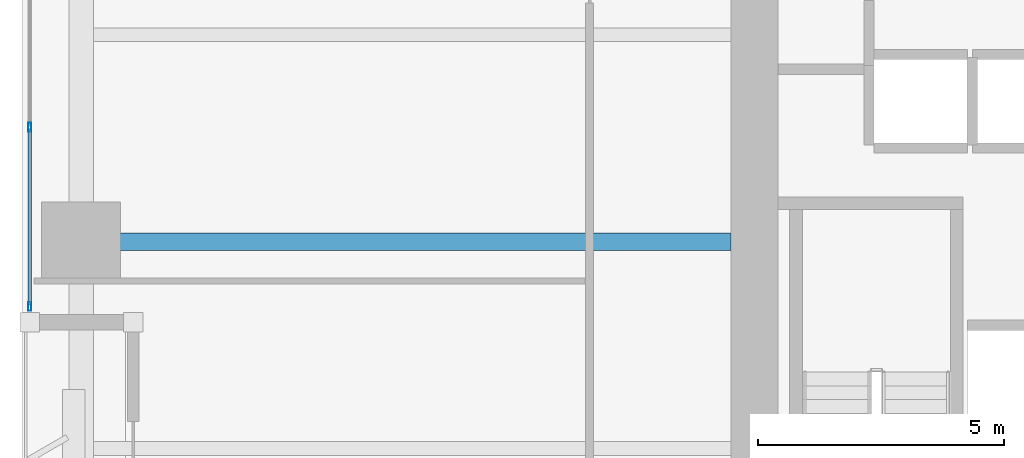
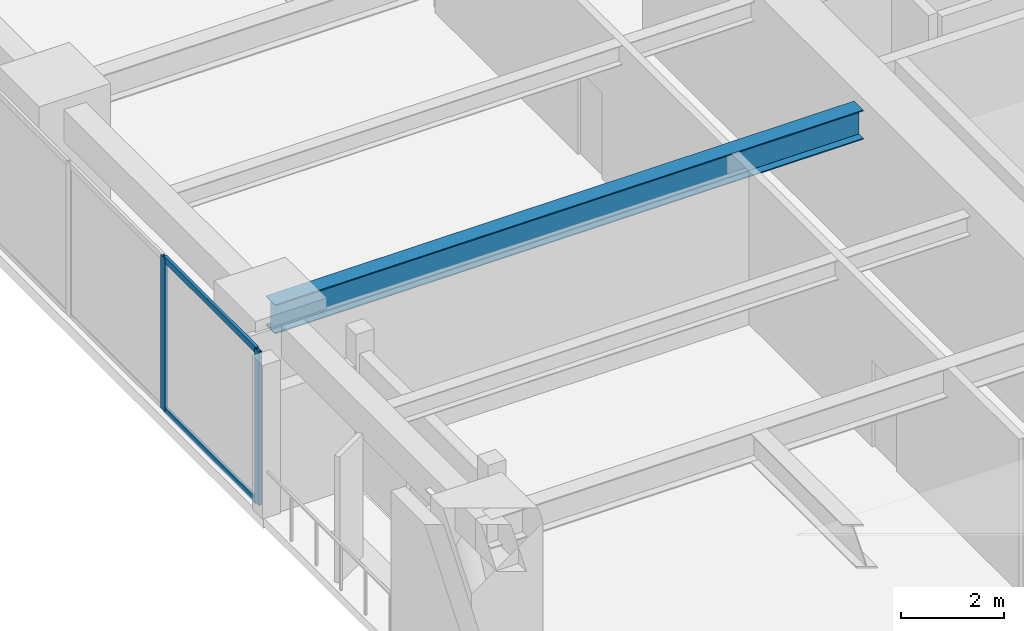
# One storey, part 2 of 28: 4 members, 1 beam, 1 element without a shape of its own.
"""IFC4 building model written with IfcOpenShell, lengths in metres."""

from ifc_helpers import new_model, si_unit, direction, frame, origin, origin_2d, place, context, subcontext, project, spatial, hollow_rectangle, i_section, extrude, material, layer, layer_set, material_profile, profile_set, type_object, element, aggregate, save


model = new_model("IFC4")

# Units and contexts
model_context = context("Model", 3, precision=1e-05, world=origin(), true_north=direction((0.0, 1.0)))
body_context = subcontext(model_context, "Body", "Model", "MODEL_VIEW")
ifc_project = project(units=[si_unit("LENGTHUNIT", "METRE"), si_unit("AREAUNIT", "SQUARE_METRE"), si_unit("VOLUMEUNIT", "CUBIC_METRE"), si_unit("PLANEANGLEUNIT", "RADIAN"), si_unit("MASSUNIT", "GRAM", prefix="KILO")], contexts=[model_context])

# Site, building, storey
site_placement = place(None, origin())
site = spatial("IfcSite", under=ifc_project, at=site_placement, CompositionType="ELEMENT")
building_placement = place(site_placement, origin())
building = spatial("IfcBuilding", under=site, at=building_placement, Name="Kiyonajd Concourse Tower", CompositionType="ELEMENT")
storey_placement = place(building_placement, frame((0.0, 0.0, 60.60009765625)))
storey = spatial("IfcBuildingStorey", under=building, at=storey_placement, Name="L16", CompositionType="ELEMENT", Elevation=60.60009765625)

# Beam
ifc_material_1 = material(Name="Steel ASTM A992 Grade 50", Category="steel")
ifc_material_profile_1 = material_profile(ifc_material_1, i_section(OverallWidth=0.35498046875, OverallDepth=0.695068359375, WebThickness=0.015380859375, FlangeThickness=0.02490234375, at=origin_2d()), Name="W690X217")
ifc_profile_set_1 = profile_set([ifc_material_profile_1], Name="Steel ASTM A992 Grade 50")
beam_type = type_object("IfcBeamType", Name="BM-TWR-690", PredefinedType="BEAM", material=ifc_profile_set_1)
beam_placement = place(storey_placement, frame((19.199951171875, 36.0, 3.29248046875), z_axis=(1.0, 0.0, 0.0), x_axis=(0.0, 1.0, 0.0)))
element("IfcBeam", 1, at=beam_placement, inside=storey, type_object=beam_type, Name="L16 West Lease Girder", PredefinedType="BEAM", context=body_context, shape_type="SweptSolid", body=[
    extrude(i_section(OverallWidth=0.35498046875, OverallDepth=0.695068359375, WebThickness=0.015380859375, FlangeThickness=0.02490234375, at=origin_2d()), origin(), (0.0, 0.0, 1.0), 13.199951171875),
])

# Curtain wall, members
ifc_material_2 = material(Name="Thermally Broken Anodised Aluminium", Category="aluminium")
ifc_layer = layer(ifc_material_2, 0.179931640625)
ifc_layer_set = layer_set([ifc_layer], Name="Thermally Broken Anodised Aluminium")
curtain_wall_type = type_object("IfcCurtainWallType", Name="CW-SYS-02", PredefinedType="NOTDEFINED", material=ifc_layer_set)
curtain_wall_placement = place(storey_placement, origin())
curtain_wall = element("IfcCurtainWall", 2, at=curtain_wall_placement, inside=storey, type_object=curtain_wall_type, Name="L16 Unitised Curtain Wall CW2", PredefinedType="NOTDEFINED")
ifc_material_profile_2 = material_profile(ifc_material_2, hollow_rectangle(XDim=0.06494140625, YDim=0.179931640625, WallThickness=0.00390625, at=origin_2d()), Name="MULL-65x180")
ifc_profile_set_2 = profile_set([ifc_material_profile_2], Name="Thermally Broken Anodised Aluminium")
member_type_1 = type_object("IfcMemberType", Name="MB-CW-MULL1", PredefinedType="MULLION", material=ifc_profile_set_2)
member_1_placement = place(storey_placement, frame((18.159912109375, 34.6826171875, 0.0), z_axis=(0.0, 0.0, 1.0), x_axis=(-1.0, 0.0, 0.0)))
member_1 = element("IfcMember", 3, at=member_1_placement, type_object=member_type_1, Name="CW2 mullion 1", PredefinedType="MULLION", context=body_context, shape_type="SweptSolid", body=[
    extrude(hollow_rectangle(XDim=0.06494140625, YDim=0.179931640625, WallThickness=0.00390625, at=origin_2d()), origin(), (0.0, 0.0, 1.0), 3.639892578125),
])
member_2_placement = place(storey_placement, frame((18.159912109375, 38.3232421875, 0.0), z_axis=(0.0, 0.0, 1.0), x_axis=(-1.0, 0.0, 0.0)))
member_2 = element("IfcMember", 4, at=member_2_placement, type_object=member_type_1, Name="CW2 mullion 2", PredefinedType="MULLION", context=body_context, shape_type="SweptSolid", body=[
    extrude(hollow_rectangle(XDim=0.06494140625, YDim=0.179931640625, WallThickness=0.00390625, at=origin_2d()), origin(), (0.0, 0.0, 1.0), 3.639892578125),
])
ifc_material_profile_3 = material_profile(ifc_material_2, hollow_rectangle(XDim=0.06494140625, YDim=0.139892578125, WallThickness=0.00390625, at=origin_2d()), Name="TRAN-65x140")
ifc_profile_set_3 = profile_set([ifc_material_profile_3], Name="Thermally Broken Anodised Aluminium")
member_type_2 = type_object("IfcMemberType", Name="MB-CW-TRAN1", PredefinedType="USERDEFINED", material=ifc_profile_set_3)
member_3_placement = place(storey_placement, frame((18.159912109375, 34.715087890625, 0.032470703125), z_axis=(0.0, 1.0, 0.0), x_axis=(-1.0, 0.0, 0.0)))
member_3 = element("IfcMember", 5, at=member_3_placement, type_object=member_type_2, Name="CW2 transom 1.1", ObjectType="TRANSOM", PredefinedType="USERDEFINED", context=body_context, shape_type="SweptSolid", body=[
    extrude(hollow_rectangle(XDim=0.06494140625, YDim=0.139892578125, WallThickness=0.00390625, at=origin_2d()), origin(), (0.0, 0.0, 1.0), 3.57568359375),
])
member_4_placement = place(storey_placement, frame((18.159912109375, 34.715087890625, 3.607421875), z_axis=(0.0, 1.0, 0.0), x_axis=(-1.0, 0.0, 0.0)))
member_4 = element("IfcMember", 6, at=member_4_placement, type_object=member_type_2, Name="CW2 transom 1.2", ObjectType="TRANSOM", PredefinedType="USERDEFINED", context=body_context, shape_type="SweptSolid", body=[
    extrude(hollow_rectangle(XDim=0.06494140625, YDim=0.139892578125, WallThickness=0.00390625, at=origin_2d()), origin(), (0.0, 0.0, 1.0), 3.57568359375),
])
aggregate(curtain_wall, [member_1, member_2, member_3, member_4])

save(model, "model.ifc")
